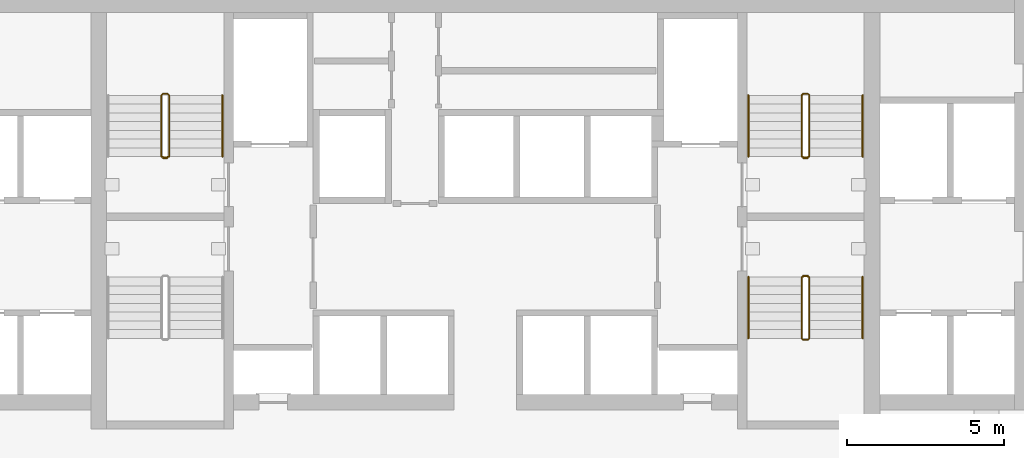
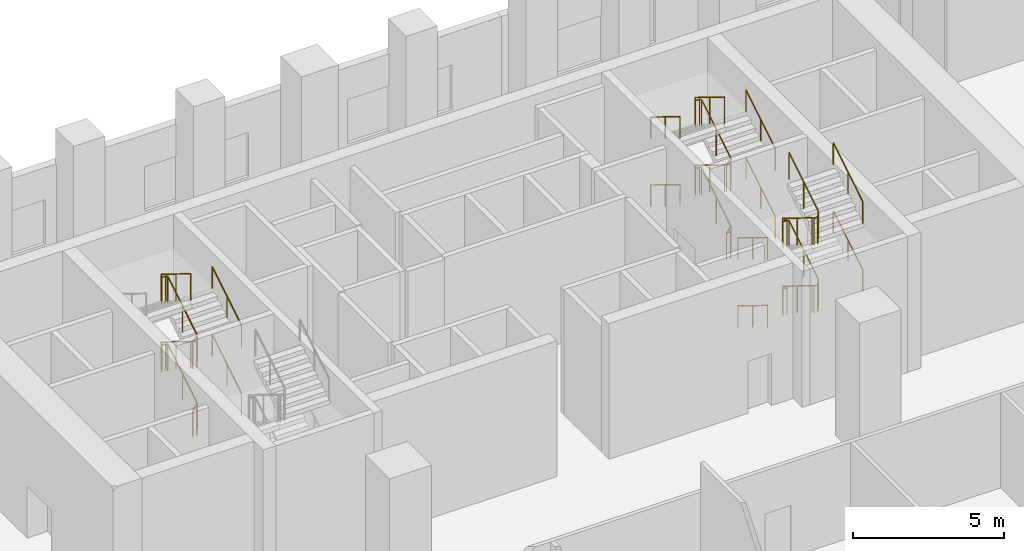
# One storey, part 20 of 22: 13 railings.
"""IFC4 building model written with IfcOpenShell, lengths in metres."""

from ifc_helpers import new_model, si_unit, direction, frame, origin, origin_2d, place, context, subcontext, project, spatial, circle, extrude, material, type_object, element, save


model = new_model("IFC4")

# Units and contexts
model_context = context("Model", 3, precision=1e-05, world=origin(), true_north=direction((0.0, 1.0)))
body_context = subcontext(model_context, "Body", "Model", "MODEL_VIEW")
ifc_project = project(units=[si_unit("LENGTHUNIT", "METRE"), si_unit("AREAUNIT", "SQUARE_METRE"), si_unit("VOLUMEUNIT", "CUBIC_METRE"), si_unit("PLANEANGLEUNIT", "RADIAN"), si_unit("MASSUNIT", "GRAM", prefix="KILO")], contexts=[model_context])

# Site, building, storey
site_placement = place(None, origin())
site = spatial("IfcSite", under=ifc_project, at=site_placement, CompositionType="ELEMENT")
building_placement = place(site_placement, origin())
building = spatial("IfcBuilding", under=site, at=building_placement, Name="Calabash Gate Tower", CompositionType="ELEMENT")
storey_placement = place(building_placement, frame((0.0, 0.0, 29.0)))
storey = spatial("IfcBuildingStorey", under=building, at=storey_placement, Name="L03", CompositionType="ELEMENT", Elevation=29.0)

# Railings
ifc_material_1 = material(Name="Black powder-coated steel balusters", Category="steel")
railing_type_1 = type_object("IfcRailingType", Name="Stair guard RL1100", PredefinedType="GUARDRAIL", material=ifc_material_1)
railing_1_placement = place(storey_placement, frame((-10.14990234375, 13.902587890625, 0.0)))
element("IfcRailing", 1, at=railing_1_placement, inside=storey, type_object=railing_type_1, Name="L03 ST1 stair guard 1", PredefinedType="GUARDRAIL", context=body_context, shape_type="SweptSolid", body=[
    extrude(circle(Radius=0.02392578125, at=origin_2d()), frame((0.0, 0.0, 1.076171875), z_axis=(-1.0, 0.0, 0.0), x_axis=(0.0, -1.0, 0.0)), (0.0, 0.0, 1.0), 0.150146484375),
    extrude(circle(Radius=0.02392578125, at=origin_2d()), frame((-0.150146484375, 0.0, 1.076171875), z_axis=(0.745037588186, 0.186486819998, 0.640423030626), x_axis=(-0.242814311512, 0.970072785993, 0.0)), (0.0, 0.0, 1.0), 0.268310546875),
    extrude(circle(Radius=0.02392578125, at=origin_2d()), frame((0.0498046875, 0.050048828125, 1.248046875), z_axis=(0.0, 0.851395084437, 0.52452493763), x_axis=(-1.0, 0.0, 0.0)), (0.0, 0.0, 1.0), 2.293701171875),
    extrude(circle(Radius=0.02392578125, at=origin_2d()), frame((0.0498046875, 2.0029296875, 2.451171875), z_axis=(-0.705375805398, 0.708833529934, 0.0), x_axis=(-0.708833529934, -0.705375805398, 0.0)), (0.0, 0.0, 1.0), 0.070556640625),
    extrude(circle(Radius=0.02392578125, at=origin_2d()), frame((0.0, 2.052978515625, 2.451171875), z_axis=(-1.0, 0.0, 0.0), x_axis=(0.0, -1.0, 0.0)), (0.0, 0.0, 1.0), 0.150146484375),
    extrude(circle(Radius=0.02392578125, at=origin_2d()), frame((-0.150146484375, 2.052978515625, 2.451171875), z_axis=(-0.269255725606, -0.269255725606, 0.92466356501), x_axis=(0.707106781187, -0.707106781187, 0.0)), (0.0, 0.0, 1.0), 0.185791015625),
    extrude(circle(Radius=0.02392578125, at=origin_2d()), frame((-0.2001953125, 2.0029296875, 2.623046875), z_axis=(0.0, -0.851395084437, 0.52452493763), x_axis=(1.0, 0.0, 0.0)), (0.0, 0.0, 1.0), 2.293701171875),
    extrude(circle(Radius=0.02392578125, at=origin_2d()), frame((-0.2001953125, 0.050048828125, 3.826171875), z_axis=(0.970142500145, -0.242535625036, 0.0), x_axis=(0.242535625036, 0.970142500145, 0.0)), (0.0, 0.0, 1.0), 0.206298828125),
    extrude(circle(Radius=0.02392578125, at=origin_2d()), frame((0.0, 0.0, 3.826171875), z_axis=(-1.0, 0.0, 0.0), x_axis=(0.0, -1.0, 0.0)), (0.0, 0.0, 1.0), 0.150146484375),
    extrude(circle(Radius=0.02392578125, at=origin_2d()), frame((-0.150146484375, 0.0, 3.826171875), z_axis=(0.745037588186, 0.186486819998, 0.640423030626), x_axis=(-0.242814311512, 0.970072785993, 0.0)), (0.0, 0.0, 1.0), 0.268310546875),
    extrude(circle(Radius=0.02392578125, at=origin_2d()), frame((0.0498046875, 0.050048828125, 3.998046875), z_axis=(0.0, 0.851395084437, 0.52452493763), x_axis=(-1.0, 0.0, 0.0)), (0.0, 0.0, 1.0), 2.293701171875),
    extrude(circle(Radius=0.02392578125, at=origin_2d()), frame((0.0498046875, 2.0029296875, 5.201171875), z_axis=(-0.705375805398, 0.708833529934, 0.0), x_axis=(-0.708833529934, -0.705375805398, 0.0)), (0.0, 0.0, 1.0), 0.070556640625),
    extrude(circle(Radius=0.02392578125, at=origin_2d()), frame((0.0, 2.052978515625, 5.201171875), z_axis=(-1.0, 0.0, 0.0), x_axis=(0.0, -1.0, 0.0)), (0.0, 0.0, 1.0), 0.150146484375),
    extrude(circle(Radius=0.02392578125, at=origin_2d()), frame((-0.150146484375, 2.052978515625, 5.201171875), z_axis=(-0.269255725606, -0.269255725606, 0.92466356501), x_axis=(0.707106781187, -0.707106781187, 0.0)), (0.0, 0.0, 1.0), 0.185791015625),
    extrude(circle(Radius=0.02392578125, at=origin_2d()), frame((-0.2001953125, 2.0029296875, 5.373046875), z_axis=(0.0, -0.851395084437, 0.52452493763), x_axis=(1.0, 0.0, 0.0)), (0.0, 0.0, 1.0), 2.293701171875),
    extrude(circle(Radius=0.02099609375, at=origin_2d()), origin(), (0.0, 0.0, 1.0), 1.052001953125),
    extrude(circle(Radius=0.02099609375, at=origin_2d()), frame((-0.150146484375, 0.0, 0.0)), (0.0, 0.0, 1.0), 1.052001953125),
    extrude(circle(Radius=0.02099609375, at=origin_2d()), frame((0.0498046875, 0.050048828125, 0.171875)), (0.0, 0.0, 1.0), 1.052001953125),
    extrude(circle(Radius=0.02099609375, at=origin_2d()), frame((0.0498046875, 1.0263671875, 0.7734375)), (0.0, 0.0, 1.0), 1.052001953125),
    extrude(circle(Radius=0.02099609375, at=origin_2d()), frame((0.0498046875, 2.0029296875, 1.375)), (0.0, 0.0, 1.0), 1.052001953125),
    extrude(circle(Radius=0.02099609375, at=origin_2d()), frame((0.0, 2.052978515625, 1.375)), (0.0, 0.0, 1.0), 1.052001953125),
    extrude(circle(Radius=0.02099609375, at=origin_2d()), frame((-0.150146484375, 2.052978515625, 1.375)), (0.0, 0.0, 1.0), 1.052001953125),
    extrude(circle(Radius=0.02099609375, at=origin_2d()), frame((-0.2001953125, 2.0029296875, 1.546875)), (0.0, 0.0, 1.0), 1.052001953125),
    extrude(circle(Radius=0.02099609375, at=origin_2d()), frame((-0.2001953125, 1.0263671875, 2.1484375)), (0.0, 0.0, 1.0), 1.052001953125),
    extrude(circle(Radius=0.02099609375, at=origin_2d()), frame((-0.2001953125, 0.050048828125, 2.75)), (0.0, 0.0, 1.0), 1.052001953125),
    extrude(circle(Radius=0.02099609375, at=origin_2d()), frame((0.0, 0.0, 2.75)), (0.0, 0.0, 1.0), 1.052001953125),
    extrude(circle(Radius=0.02099609375, at=origin_2d()), frame((-0.150146484375, 0.0, 2.75)), (0.0, 0.0, 1.0), 1.052001953125),
    extrude(circle(Radius=0.02099609375, at=origin_2d()), frame((0.0498046875, 0.050048828125, 2.921875)), (0.0, 0.0, 1.0), 1.052001953125),
    extrude(circle(Radius=0.02099609375, at=origin_2d()), frame((0.0498046875, 1.0263671875, 3.5234375)), (0.0, 0.0, 1.0), 1.052001953125),
    extrude(circle(Radius=0.02099609375, at=origin_2d()), frame((0.0498046875, 2.0029296875, 4.125)), (0.0, 0.0, 1.0), 1.052001953125),
    extrude(circle(Radius=0.02099609375, at=origin_2d()), frame((0.0, 2.052978515625, 4.125)), (0.0, 0.0, 1.0), 1.052001953125),
    extrude(circle(Radius=0.02099609375, at=origin_2d()), frame((-0.150146484375, 2.052978515625, 4.125)), (0.0, 0.0, 1.0), 1.052001953125),
    extrude(circle(Radius=0.02099609375, at=origin_2d()), frame((-0.2001953125, 2.0029296875, 4.296875)), (0.0, 0.0, 1.0), 1.052001953125),
    extrude(circle(Radius=0.02099609375, at=origin_2d()), frame((-0.2001953125, 1.0263671875, 4.8984375)), (0.0, 0.0, 1.0), 1.052001953125),
    extrude(circle(Radius=0.02099609375, at=origin_2d()), frame((-0.2001953125, 0.050048828125, 5.5)), (0.0, 0.0, 1.0), 1.052001953125),
])
railing_2_placement = place(storey_placement, frame((10.300048828125, 13.902587890625, 0.0)))
element("IfcRailing", 2, at=railing_2_placement, inside=storey, type_object=railing_type_1, Name="L03 ST3 stair guard 1", PredefinedType="GUARDRAIL", context=body_context, shape_type="SweptSolid", body=[
    extrude(circle(Radius=0.02392578125, at=origin_2d()), frame((0.0, 0.0, 1.076171875), z_axis=(-1.0, 0.0, 0.0), x_axis=(0.0, -1.0, 0.0)), (0.0, 0.0, 1.0), 0.150146484375),
    extrude(circle(Radius=0.02392578125, at=origin_2d()), frame((-0.150146484375, 0.0, 1.076171875), z_axis=(0.745441916174, 0.186360479043, 0.6399891573), x_axis=(-0.242535625036, 0.970142500145, 0.0)), (0.0, 0.0, 1.0), 0.2685546875),
    extrude(circle(Radius=0.02392578125, at=origin_2d()), frame((0.050048828125, 0.050048828125, 1.248046875), z_axis=(0.0, 0.851395084437, 0.52452493763), x_axis=(-1.0, 0.0, 0.0)), (0.0, 0.0, 1.0), 2.293701171875),
    extrude(circle(Radius=0.02392578125, at=origin_2d()), frame((0.050048828125, 2.0029296875, 2.451171875), z_axis=(-0.707106781187, 0.707106781187, 0.0), x_axis=(-0.707106781187, -0.707106781187, 0.0)), (0.0, 0.0, 1.0), 0.07080078125),
    extrude(circle(Radius=0.02392578125, at=origin_2d()), frame((0.0, 2.052978515625, 2.451171875), z_axis=(-1.0, 0.0, 0.0), x_axis=(0.0, -1.0, 0.0)), (0.0, 0.0, 1.0), 0.150146484375),
    extrude(circle(Radius=0.02392578125, at=origin_2d()), frame((-0.150146484375, 2.052978515625, 2.451171875), z_axis=(-0.268036860282, -0.26935076646, 0.924989949209), x_axis=(0.708833529934, -0.705375805398, 0.0)), (0.0, 0.0, 1.0), 0.185791015625),
    extrude(circle(Radius=0.02392578125, at=origin_2d()), frame((-0.199951171875, 2.0029296875, 2.623046875), z_axis=(0.0, -0.851395084437, 0.52452493763), x_axis=(1.0, 0.0, 0.0)), (0.0, 0.0, 1.0), 2.293701171875),
    extrude(circle(Radius=0.02392578125, at=origin_2d()), frame((-0.199951171875, 0.050048828125, 3.826171875), z_axis=(0.970072785993, -0.242814311512, 0.0), x_axis=(0.242814311512, 0.970072785993, 0.0)), (0.0, 0.0, 1.0), 0.2060546875),
    extrude(circle(Radius=0.02392578125, at=origin_2d()), frame((0.0, 0.0, 3.826171875), z_axis=(-1.0, 0.0, 0.0), x_axis=(0.0, -1.0, 0.0)), (0.0, 0.0, 1.0), 0.150146484375),
    extrude(circle(Radius=0.02392578125, at=origin_2d()), frame((-0.150146484375, 0.0, 3.826171875), z_axis=(0.745441916174, 0.186360479043, 0.6399891573), x_axis=(-0.242535625036, 0.970142500145, 0.0)), (0.0, 0.0, 1.0), 0.2685546875),
    extrude(circle(Radius=0.02392578125, at=origin_2d()), frame((0.050048828125, 0.050048828125, 3.998046875), z_axis=(0.0, 0.851395084437, 0.52452493763), x_axis=(-1.0, 0.0, 0.0)), (0.0, 0.0, 1.0), 2.293701171875),
    extrude(circle(Radius=0.02392578125, at=origin_2d()), frame((0.050048828125, 2.0029296875, 5.201171875), z_axis=(-0.707106781187, 0.707106781187, 0.0), x_axis=(-0.707106781187, -0.707106781187, 0.0)), (0.0, 0.0, 1.0), 0.07080078125),
    extrude(circle(Radius=0.02392578125, at=origin_2d()), frame((0.0, 2.052978515625, 5.201171875), z_axis=(-1.0, 0.0, 0.0), x_axis=(0.0, -1.0, 0.0)), (0.0, 0.0, 1.0), 0.150146484375),
    extrude(circle(Radius=0.02392578125, at=origin_2d()), frame((-0.150146484375, 2.052978515625, 5.201171875), z_axis=(-0.268036860282, -0.26935076646, 0.924989949209), x_axis=(0.708833529934, -0.705375805398, 0.0)), (0.0, 0.0, 1.0), 0.185791015625),
    extrude(circle(Radius=0.02392578125, at=origin_2d()), frame((-0.199951171875, 2.0029296875, 5.373046875), z_axis=(0.0, -0.851395084437, 0.52452493763), x_axis=(1.0, 0.0, 0.0)), (0.0, 0.0, 1.0), 2.293701171875),
    extrude(circle(Radius=0.02099609375, at=origin_2d()), origin(), (0.0, 0.0, 1.0), 1.052001953125),
    extrude(circle(Radius=0.02099609375, at=origin_2d()), frame((-0.150146484375, 0.0, 0.0)), (0.0, 0.0, 1.0), 1.052001953125),
    extrude(circle(Radius=0.02099609375, at=origin_2d()), frame((0.050048828125, 0.050048828125, 0.171875)), (0.0, 0.0, 1.0), 1.052001953125),
    extrude(circle(Radius=0.02099609375, at=origin_2d()), frame((0.050048828125, 1.0263671875, 0.7734375)), (0.0, 0.0, 1.0), 1.052001953125),
    extrude(circle(Radius=0.02099609375, at=origin_2d()), frame((0.050048828125, 2.0029296875, 1.375)), (0.0, 0.0, 1.0), 1.052001953125),
    extrude(circle(Radius=0.02099609375, at=origin_2d()), frame((0.0, 2.052978515625, 1.375)), (0.0, 0.0, 1.0), 1.052001953125),
    extrude(circle(Radius=0.02099609375, at=origin_2d()), frame((-0.150146484375, 2.052978515625, 1.375)), (0.0, 0.0, 1.0), 1.052001953125),
    extrude(circle(Radius=0.02099609375, at=origin_2d()), frame((-0.199951171875, 2.0029296875, 1.546875)), (0.0, 0.0, 1.0), 1.052001953125),
    extrude(circle(Radius=0.02099609375, at=origin_2d()), frame((-0.199951171875, 1.0263671875, 2.1484375)), (0.0, 0.0, 1.0), 1.052001953125),
    extrude(circle(Radius=0.02099609375, at=origin_2d()), frame((-0.199951171875, 0.050048828125, 2.75)), (0.0, 0.0, 1.0), 1.052001953125),
    extrude(circle(Radius=0.02099609375, at=origin_2d()), frame((0.0, 0.0, 2.75)), (0.0, 0.0, 1.0), 1.052001953125),
    extrude(circle(Radius=0.02099609375, at=origin_2d()), frame((-0.150146484375, 0.0, 2.75)), (0.0, 0.0, 1.0), 1.052001953125),
    extrude(circle(Radius=0.02099609375, at=origin_2d()), frame((0.050048828125, 0.050048828125, 2.921875)), (0.0, 0.0, 1.0), 1.052001953125),
    extrude(circle(Radius=0.02099609375, at=origin_2d()), frame((0.050048828125, 1.0263671875, 3.5234375)), (0.0, 0.0, 1.0), 1.052001953125),
    extrude(circle(Radius=0.02099609375, at=origin_2d()), frame((0.050048828125, 2.0029296875, 4.125)), (0.0, 0.0, 1.0), 1.052001953125),
    extrude(circle(Radius=0.02099609375, at=origin_2d()), frame((0.0, 2.052978515625, 4.125)), (0.0, 0.0, 1.0), 1.052001953125),
    extrude(circle(Radius=0.02099609375, at=origin_2d()), frame((-0.150146484375, 2.052978515625, 4.125)), (0.0, 0.0, 1.0), 1.052001953125),
    extrude(circle(Radius=0.02099609375, at=origin_2d()), frame((-0.199951171875, 2.0029296875, 4.296875)), (0.0, 0.0, 1.0), 1.052001953125),
    extrude(circle(Radius=0.02099609375, at=origin_2d()), frame((-0.199951171875, 1.0263671875, 4.8984375)), (0.0, 0.0, 1.0), 1.052001953125),
    extrude(circle(Radius=0.02099609375, at=origin_2d()), frame((-0.199951171875, 0.050048828125, 5.5)), (0.0, 0.0, 1.0), 1.052001953125),
])
railing_3_placement = place(storey_placement, frame((10.14990234375, 10.152587890625, 0.0)))
element("IfcRailing", 3, at=railing_3_placement, inside=storey, type_object=railing_type_1, Name="L03 ST4 stair guard 1", PredefinedType="GUARDRAIL", context=body_context, shape_type="SweptSolid", body=[
    extrude(circle(Radius=0.02392578125, at=origin_2d()), frame((0.0, 0.0, 1.076171875), z_axis=(1.0, 0.0, 0.0), x_axis=(0.0, 1.0, 0.0)), (0.0, 0.0, 1.0), 0.150146484375),
    extrude(circle(Radius=0.02392578125, at=origin_2d()), frame((0.150146484375, 0.0, 1.076171875), z_axis=(-0.745037588186, -0.186486819998, 0.640423030626), x_axis=(0.242814311512, -0.970072785993, 0.0)), (0.0, 0.0, 1.0), 0.268310546875),
    extrude(circle(Radius=0.02392578125, at=origin_2d()), frame((-0.0498046875, -0.050048828125, 1.248046875), z_axis=(0.0, -0.851395084437, 0.52452493763), x_axis=(1.0, 0.0, 0.0)), (0.0, 0.0, 1.0), 2.293701171875),
    extrude(circle(Radius=0.02392578125, at=origin_2d()), frame((-0.0498046875, -2.0029296875, 2.451171875), z_axis=(0.705375805398, -0.708833529934, 0.0), x_axis=(0.708833529934, 0.705375805398, 0.0)), (0.0, 0.0, 1.0), 0.070556640625),
    extrude(circle(Radius=0.02392578125, at=origin_2d()), frame((0.0, -2.052978515625, 2.451171875), z_axis=(1.0, 0.0, 0.0), x_axis=(0.0, 1.0, 0.0)), (0.0, 0.0, 1.0), 0.150146484375),
    extrude(circle(Radius=0.02392578125, at=origin_2d()), frame((0.150146484375, -2.052978515625, 2.451171875), z_axis=(0.269255725606, 0.269255725606, 0.92466356501), x_axis=(-0.707106781187, 0.707106781187, 0.0)), (0.0, 0.0, 1.0), 0.185791015625),
    extrude(circle(Radius=0.02392578125, at=origin_2d()), frame((0.2001953125, -2.0029296875, 2.623046875), z_axis=(0.0, 0.851395084437, 0.52452493763), x_axis=(-1.0, 0.0, 0.0)), (0.0, 0.0, 1.0), 2.293701171875),
    extrude(circle(Radius=0.02392578125, at=origin_2d()), frame((0.2001953125, -0.050048828125, 3.826171875), z_axis=(-0.970142500145, 0.242535625036, 0.0), x_axis=(-0.242535625036, -0.970142500145, 0.0)), (0.0, 0.0, 1.0), 0.206298828125),
    extrude(circle(Radius=0.02392578125, at=origin_2d()), frame((0.0, 0.0, 3.826171875), z_axis=(1.0, 0.0, 0.0), x_axis=(0.0, 1.0, 0.0)), (0.0, 0.0, 1.0), 0.150146484375),
    extrude(circle(Radius=0.02392578125, at=origin_2d()), frame((0.150146484375, 0.0, 3.826171875), z_axis=(-0.745037588186, -0.186486819998, 0.640423030626), x_axis=(0.242814311512, -0.970072785993, 0.0)), (0.0, 0.0, 1.0), 0.268310546875),
    extrude(circle(Radius=0.02392578125, at=origin_2d()), frame((-0.0498046875, -0.050048828125, 3.998046875), z_axis=(0.0, -0.851395084437, 0.52452493763), x_axis=(1.0, 0.0, 0.0)), (0.0, 0.0, 1.0), 2.293701171875),
    extrude(circle(Radius=0.02392578125, at=origin_2d()), frame((-0.0498046875, -2.0029296875, 5.201171875), z_axis=(0.705375805398, -0.708833529934, 0.0), x_axis=(0.708833529934, 0.705375805398, 0.0)), (0.0, 0.0, 1.0), 0.070556640625),
    extrude(circle(Radius=0.02392578125, at=origin_2d()), frame((0.0, -2.052978515625, 5.201171875), z_axis=(1.0, 0.0, 0.0), x_axis=(0.0, 1.0, 0.0)), (0.0, 0.0, 1.0), 0.150146484375),
    extrude(circle(Radius=0.02392578125, at=origin_2d()), frame((0.150146484375, -2.052978515625, 5.201171875), z_axis=(0.269255725606, 0.269255725606, 0.92466356501), x_axis=(-0.707106781187, 0.707106781187, 0.0)), (0.0, 0.0, 1.0), 0.185791015625),
    extrude(circle(Radius=0.02392578125, at=origin_2d()), frame((0.2001953125, -2.0029296875, 5.373046875), z_axis=(0.0, 0.851395084437, 0.52452493763), x_axis=(-1.0, 0.0, 0.0)), (0.0, 0.0, 1.0), 2.293701171875),
    extrude(circle(Radius=0.02099609375, at=origin_2d()), origin(), (0.0, 0.0, 1.0), 1.052001953125),
    extrude(circle(Radius=0.02099609375, at=origin_2d()), frame((0.150146484375, 0.0, 0.0)), (0.0, 0.0, 1.0), 1.052001953125),
    extrude(circle(Radius=0.02099609375, at=origin_2d()), frame((-0.0498046875, -0.050048828125, 0.171875)), (0.0, 0.0, 1.0), 1.052001953125),
    extrude(circle(Radius=0.02099609375, at=origin_2d()), frame((-0.0498046875, -1.0263671875, 0.7734375)), (0.0, 0.0, 1.0), 1.052001953125),
    extrude(circle(Radius=0.02099609375, at=origin_2d()), frame((-0.0498046875, -2.0029296875, 1.375)), (0.0, 0.0, 1.0), 1.052001953125),
    extrude(circle(Radius=0.02099609375, at=origin_2d()), frame((0.0, -2.052978515625, 1.375)), (0.0, 0.0, 1.0), 1.052001953125),
    extrude(circle(Radius=0.02099609375, at=origin_2d()), frame((0.150146484375, -2.052978515625, 1.375)), (0.0, 0.0, 1.0), 1.052001953125),
    extrude(circle(Radius=0.02099609375, at=origin_2d()), frame((0.2001953125, -2.0029296875, 1.546875)), (0.0, 0.0, 1.0), 1.052001953125),
    extrude(circle(Radius=0.02099609375, at=origin_2d()), frame((0.2001953125, -1.0263671875, 2.1484375)), (0.0, 0.0, 1.0), 1.052001953125),
    extrude(circle(Radius=0.02099609375, at=origin_2d()), frame((0.2001953125, -0.050048828125, 2.75)), (0.0, 0.0, 1.0), 1.052001953125),
    extrude(circle(Radius=0.02099609375, at=origin_2d()), frame((0.0, 0.0, 2.75)), (0.0, 0.0, 1.0), 1.052001953125),
    extrude(circle(Radius=0.02099609375, at=origin_2d()), frame((0.150146484375, 0.0, 2.75)), (0.0, 0.0, 1.0), 1.052001953125),
    extrude(circle(Radius=0.02099609375, at=origin_2d()), frame((-0.0498046875, -0.050048828125, 2.921875)), (0.0, 0.0, 1.0), 1.052001953125),
    extrude(circle(Radius=0.02099609375, at=origin_2d()), frame((-0.0498046875, -1.0263671875, 3.5234375)), (0.0, 0.0, 1.0), 1.052001953125),
    extrude(circle(Radius=0.02099609375, at=origin_2d()), frame((-0.0498046875, -2.0029296875, 4.125)), (0.0, 0.0, 1.0), 1.052001953125),
    extrude(circle(Radius=0.02099609375, at=origin_2d()), frame((0.0, -2.052978515625, 4.125)), (0.0, 0.0, 1.0), 1.052001953125),
    extrude(circle(Radius=0.02099609375, at=origin_2d()), frame((0.150146484375, -2.052978515625, 4.125)), (0.0, 0.0, 1.0), 1.052001953125),
    extrude(circle(Radius=0.02099609375, at=origin_2d()), frame((0.2001953125, -2.0029296875, 4.296875)), (0.0, 0.0, 1.0), 1.052001953125),
    extrude(circle(Radius=0.02099609375, at=origin_2d()), frame((0.2001953125, -1.0263671875, 4.8984375)), (0.0, 0.0, 1.0), 1.052001953125),
    extrude(circle(Radius=0.02099609375, at=origin_2d()), frame((0.2001953125, -0.050048828125, 5.5)), (0.0, 0.0, 1.0), 1.052001953125),
])
ifc_material_2 = material(Name="Black powder-coated steel tube 48 mm", Category="steel")
railing_type_2 = type_object("IfcRailingType", Name="Stair handrail RL900", PredefinedType="HANDRAIL", material=ifc_material_2)
for number, where, name in (
    (4, (-8.39990234375, 13.95263671875, 0.171875), "L03 ST1 stair handrail 1"),
    (5, (-8.39990234375, 13.95263671875, 2.921875), "L03 ST1 stair handrail 3"),
    (6, (12.050048828125, 13.95263671875, 0.171875), "L03 ST3 stair handrail 1"),
):
    element("IfcRailing", number, at=place(storey_placement, frame(where)), inside=storey, type_object=railing_type_2, Name=name, PredefinedType="HANDRAIL", context=body_context, shape_type="SweptSolid", body=[
        extrude(circle(Radius=0.02392578125, at=origin_2d()), frame((0.0, 0.0, 0.8759765625), z_axis=(0.0, 0.851395084437, 0.52452493763), x_axis=(-1.0, 0.0, 0.0)), (0.0, 0.0, 1.0), 2.293701171875),
        extrude(circle(Radius=0.02099609375, at=origin_2d()), origin(), (0.0, 0.0, 1.0), 0.851806640625),
        extrude(circle(Radius=0.02099609375, at=origin_2d()), frame((0.0, 0.9765625, 0.6015625)), (0.0, 0.0, 1.0), 0.851806640625),
        extrude(circle(Radius=0.02099609375, at=origin_2d()), frame((0.0, 1.952880859375, 1.203125)), (0.0, 0.0, 1.0), 0.851806640625),
    ])
railing_4_placement = place(storey_placement, frame((8.39990234375, 15.905517578125, 1.546875)))
element("IfcRailing", 7, at=railing_4_placement, inside=storey, type_object=railing_type_2, Name="L03 ST3 stair handrail 2", PredefinedType="HANDRAIL", context=body_context, shape_type="SweptSolid", body=[
    extrude(circle(Radius=0.02392578125, at=origin_2d()), frame((0.0, 0.0, 0.8759765625), z_axis=(0.0, -0.851395084437, 0.52452493763), x_axis=(1.0, 0.0, 0.0)), (0.0, 0.0, 1.0), 2.293701171875),
    extrude(circle(Radius=0.02099609375, at=origin_2d()), origin(), (0.0, 0.0, 1.0), 0.851806640625),
    extrude(circle(Radius=0.02099609375, at=origin_2d()), frame((0.0, -0.9765625, 0.6015625)), (0.0, 0.0, 1.0), 0.851806640625),
    extrude(circle(Radius=0.02099609375, at=origin_2d()), frame((0.0, -1.952880859375, 1.203125)), (0.0, 0.0, 1.0), 0.851806640625),
])
railing_5_placement = place(storey_placement, frame((12.050048828125, 13.95263671875, 2.921875)))
element("IfcRailing", 8, at=railing_5_placement, inside=storey, type_object=railing_type_2, Name="L03 ST3 stair handrail 3", PredefinedType="HANDRAIL", context=body_context, shape_type="SweptSolid", body=[
    extrude(circle(Radius=0.02392578125, at=origin_2d()), frame((0.0, 0.0, 0.8759765625), z_axis=(0.0, 0.851395084437, 0.52452493763), x_axis=(-1.0, 0.0, 0.0)), (0.0, 0.0, 1.0), 2.293701171875),
    extrude(circle(Radius=0.02099609375, at=origin_2d()), origin(), (0.0, 0.0, 1.0), 0.851806640625),
    extrude(circle(Radius=0.02099609375, at=origin_2d()), frame((0.0, 0.9765625, 0.6015625)), (0.0, 0.0, 1.0), 0.851806640625),
    extrude(circle(Radius=0.02099609375, at=origin_2d()), frame((0.0, 1.952880859375, 1.203125)), (0.0, 0.0, 1.0), 0.851806640625),
])
for number, where, name in (
    (9, (8.39990234375, 15.905517578125, 4.296875), "L03 ST3 stair handrail 4"),
    (10, (8.39990234375, 10.1025390625, 0.171875), "L03 ST4 stair handrail 1"),
):
    element("IfcRailing", number, at=place(storey_placement, frame(where)), inside=storey, type_object=railing_type_2, Name=name, PredefinedType="HANDRAIL", context=body_context, shape_type="SweptSolid", body=[
        extrude(circle(Radius=0.02392578125, at=origin_2d()), frame((0.0, 0.0, 0.8759765625), z_axis=(0.0, -0.851395084437, 0.52452493763), x_axis=(1.0, 0.0, 0.0)), (0.0, 0.0, 1.0), 2.293701171875),
        extrude(circle(Radius=0.02099609375, at=origin_2d()), origin(), (0.0, 0.0, 1.0), 0.851806640625),
        extrude(circle(Radius=0.02099609375, at=origin_2d()), frame((0.0, -0.9765625, 0.6015625)), (0.0, 0.0, 1.0), 0.851806640625),
        extrude(circle(Radius=0.02099609375, at=origin_2d()), frame((0.0, -1.952880859375, 1.203125)), (0.0, 0.0, 1.0), 0.851806640625),
    ])
railing_6_placement = place(storey_placement, frame((12.050048828125, 8.149658203125, 1.546875)))
element("IfcRailing", 11, at=railing_6_placement, inside=storey, type_object=railing_type_2, Name="L03 ST4 stair handrail 2", PredefinedType="HANDRAIL", context=body_context, shape_type="SweptSolid", body=[
    extrude(circle(Radius=0.02392578125, at=origin_2d()), frame((0.0, 0.0, 0.8759765625), z_axis=(0.0, 0.851395084437, 0.52452493763), x_axis=(-1.0, 0.0, 0.0)), (0.0, 0.0, 1.0), 2.293701171875),
    extrude(circle(Radius=0.02099609375, at=origin_2d()), origin(), (0.0, 0.0, 1.0), 0.851806640625),
    extrude(circle(Radius=0.02099609375, at=origin_2d()), frame((0.0, 0.9765625, 0.6015625)), (0.0, 0.0, 1.0), 0.851806640625),
    extrude(circle(Radius=0.02099609375, at=origin_2d()), frame((0.0, 1.952880859375, 1.203125)), (0.0, 0.0, 1.0), 0.851806640625),
])
railing_7_placement = place(storey_placement, frame((8.39990234375, 10.1025390625, 2.921875)))
element("IfcRailing", 12, at=railing_7_placement, inside=storey, type_object=railing_type_2, Name="L03 ST4 stair handrail 3", PredefinedType="HANDRAIL", context=body_context, shape_type="SweptSolid", body=[
    extrude(circle(Radius=0.02392578125, at=origin_2d()), frame((0.0, 0.0, 0.8759765625), z_axis=(0.0, -0.851395084437, 0.52452493763), x_axis=(1.0, 0.0, 0.0)), (0.0, 0.0, 1.0), 2.293701171875),
    extrude(circle(Radius=0.02099609375, at=origin_2d()), origin(), (0.0, 0.0, 1.0), 0.851806640625),
    extrude(circle(Radius=0.02099609375, at=origin_2d()), frame((0.0, -0.9765625, 0.6015625)), (0.0, 0.0, 1.0), 0.851806640625),
    extrude(circle(Radius=0.02099609375, at=origin_2d()), frame((0.0, -1.952880859375, 1.203125)), (0.0, 0.0, 1.0), 0.851806640625),
])
railing_8_placement = place(storey_placement, frame((12.050048828125, 8.149658203125, 4.296875)))
element("IfcRailing", 13, at=railing_8_placement, inside=storey, type_object=railing_type_2, Name="L03 ST4 stair handrail 4", PredefinedType="HANDRAIL", context=body_context, shape_type="SweptSolid", body=[
    extrude(circle(Radius=0.02392578125, at=origin_2d()), frame((0.0, 0.0, 0.8759765625), z_axis=(0.0, 0.851395084437, 0.52452493763), x_axis=(-1.0, 0.0, 0.0)), (0.0, 0.0, 1.0), 2.293701171875),
    extrude(circle(Radius=0.02099609375, at=origin_2d()), origin(), (0.0, 0.0, 1.0), 0.851806640625),
    extrude(circle(Radius=0.02099609375, at=origin_2d()), frame((0.0, 0.9765625, 0.6015625)), (0.0, 0.0, 1.0), 0.851806640625),
    extrude(circle(Radius=0.02099609375, at=origin_2d()), frame((0.0, 1.952880859375, 1.203125)), (0.0, 0.0, 1.0), 0.851806640625),
])

save(model, "model.ifc")
